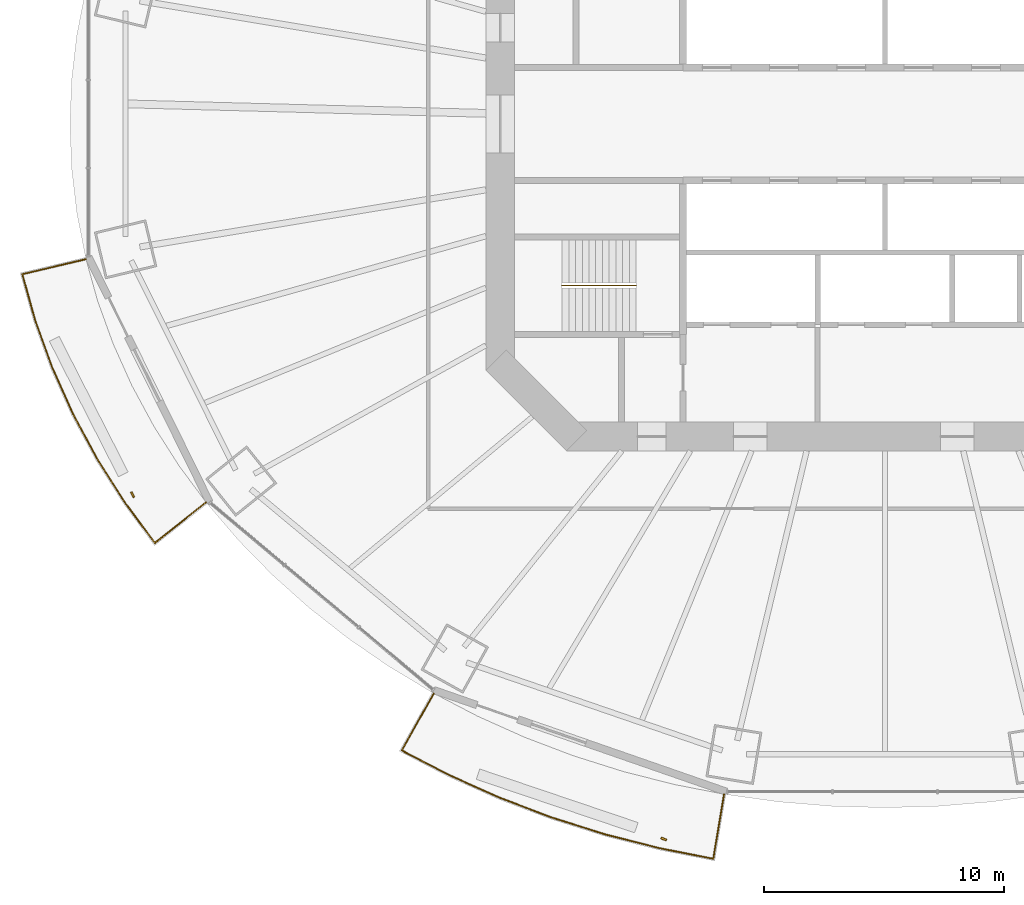
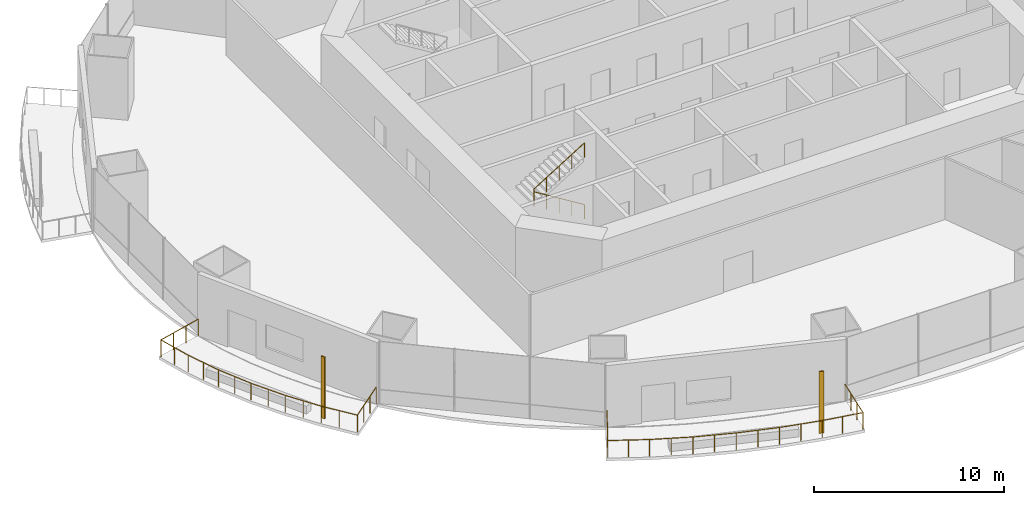
# One storey, part 17 of 21: 3 railings, 2 shading devices.
"""IFC4 building model written with IfcOpenShell, lengths in metres."""

from ifc_helpers import new_model, si_unit, direction, frame, origin, origin_2d, place, context, subcontext, project, spatial, rectangle, circle, extrude, material, material_profile, profile_set, type_object, element, save


model = new_model("IFC4")

# Units and contexts
model_context = context("Model", 3, precision=1e-05, world=origin(), true_north=direction((0.0, 1.0)))
body_context = subcontext(model_context, "Body", "Model", "MODEL_VIEW")
ifc_project = project(units=[si_unit("LENGTHUNIT", "METRE"), si_unit("AREAUNIT", "SQUARE_METRE"), si_unit("VOLUMEUNIT", "CUBIC_METRE"), si_unit("PLANEANGLEUNIT", "RADIAN"), si_unit("MASSUNIT", "GRAM", prefix="KILO")], contexts=[model_context])

# Site, building, storey
site_placement = place(None, origin())
site = spatial("IfcSite", under=ifc_project, at=site_placement, CompositionType="ELEMENT")
building_placement = place(site_placement, origin())
building = spatial("IfcBuilding", under=site, at=building_placement, Name="Marenthal Gate Tower", CompositionType="ELEMENT")
storey_placement = place(building_placement, frame((0.0, 0.0, 120.14990234375)))
storey = spatial("IfcBuildingStorey", under=building, at=storey_placement, Name="L25", CompositionType="ELEMENT", Elevation=120.14990234375)

# Railings
ifc_material_1 = material(Name="Stainless steel", Category="steel")
railing_type_1 = type_object("IfcRailingType", Name="Balcony guard 1100", PredefinedType="GUARDRAIL", material=ifc_material_1)
railing_1_placement = place(storey_placement, frame((-28.239990234375, -15.739013671875, 0.0)))
element("IfcRailing", 1, at=railing_1_placement, inside=storey, type_object=railing_type_1, Name="Balcony guard L25 bay 9", PredefinedType="GUARDRAIL", context=body_context, shape_type="SweptSolid", body=[
    extrude(circle(Radius=0.02392578125, at=origin_2d()), frame((0.0, 0.0, 1.076171875), z_axis=(-0.782385105715, -0.622623090323, -0.014629892421), x_axis=(0.622689732199, -0.782468847568, 0.0)), (0.0, 0.0, 1.0), 2.72021484375),
    extrude(circle(Radius=0.02392578125, at=origin_2d()), frame((-2.128173828125, -1.693603515625, 1.0361328125), z_axis=(-0.594457150675, 0.804127288438, 0.0), x_axis=(-0.804127288438, -0.594457150675, 0.0)), (0.0, 0.0, 1.0), 2.077392578125),
    extrude(circle(Radius=0.02392578125, at=origin_2d()), frame((-3.363037109375, -0.023193359375, 1.0361328125), z_axis=(-0.537259241166, 0.843417161185, 0.0), x_axis=(-0.843417161185, -0.537259241166, 0.0)), (0.0, 0.0, 1.0), 2.140380859375),
    extrude(circle(Radius=0.02392578125, at=origin_2d()), frame((-4.512939453125, 1.781982421875, 1.0361328125), z_axis=(-0.475168488039, 0.879894827792, 0.0), x_axis=(-0.879894827792, -0.475168488039, 0.0)), (0.0, 0.0, 1.0), 2.12451171875),
    extrude(circle(Radius=0.02392578125, at=origin_2d()), frame((-5.5224609375, 3.6513671875, 1.0361328125), z_axis=(-0.409344821555, 0.912379754853, 0.0), x_axis=(-0.912379754853, -0.409344821555, 0.0)), (0.0, 0.0, 1.0), 2.11083984375),
    extrude(circle(Radius=0.02392578125, at=origin_2d()), frame((-6.386474609375, 5.5771484375, 1.0361328125), z_axis=(-0.340033207947, 0.940413429026, 0.0), x_axis=(-0.940413429026, -0.340033207947, 0.0)), (0.0, 0.0, 1.0), 2.0986328125),
    extrude(circle(Radius=0.02392578125, at=origin_2d()), frame((-7.10009765625, 7.55078125, 1.0361328125), z_axis=(-0.269210641776, 0.963081320738, 0.0), x_axis=(-0.963081320738, -0.269210641776, 0.0)), (0.0, 0.0, 1.0), 2.0087890625),
    extrude(circle(Radius=0.02392578125, at=origin_2d()), frame((-7.640869140625, 9.4853515625, 1.0361328125), z_axis=(0.972968211955, 0.230475266885, 0.01462907652), x_axis=(-0.230499932836, 0.973072341074, 0.0)), (0.0, 0.0, 1.0), 2.72021484375),
    extrude(circle(Radius=0.02099609375, at=origin_2d()), origin(), (0.0, 0.0, 1.0), 1.052001953125),
    extrude(circle(Radius=0.02099609375, at=origin_2d()), frame((-0.70947265625, -0.564453125, -0.01318359375)), (0.0, 0.0, 1.0), 1.052001953125),
    extrude(circle(Radius=0.02099609375, at=origin_2d()), frame((-1.418701171875, -1.129150390625, -0.026611328125)), (0.0, 0.0, 1.0), 1.052001953125),
    extrude(circle(Radius=0.02099609375, at=origin_2d()), frame((-2.128173828125, -1.693603515625, -0.039794921875)), (0.0, 0.0, 1.0), 1.052001953125),
    extrude(circle(Radius=0.02099609375, at=origin_2d()), frame((-2.74560546875, -0.8583984375, -0.039794921875)), (0.0, 0.0, 1.0), 1.052001953125),
    extrude(circle(Radius=0.02099609375, at=origin_2d()), frame((-3.363037109375, -0.023193359375, -0.039794921875)), (0.0, 0.0, 1.0), 1.052001953125),
    extrude(circle(Radius=0.02099609375, at=origin_2d()), frame((-3.93798828125, 0.87939453125, -0.039794921875)), (0.0, 0.0, 1.0), 1.052001953125),
    extrude(circle(Radius=0.02099609375, at=origin_2d()), frame((-4.512939453125, 1.781982421875, -0.039794921875)), (0.0, 0.0, 1.0), 1.052001953125),
    extrude(circle(Radius=0.02099609375, at=origin_2d()), frame((-5.017578125, 2.716796875, -0.039794921875)), (0.0, 0.0, 1.0), 1.052001953125),
    extrude(circle(Radius=0.02099609375, at=origin_2d()), frame((-5.5224609375, 3.6513671875, -0.039794921875)), (0.0, 0.0, 1.0), 1.052001953125),
    extrude(circle(Radius=0.02099609375, at=origin_2d()), frame((-5.95458984375, 4.6142578125, -0.039794921875)), (0.0, 0.0, 1.0), 1.052001953125),
    extrude(circle(Radius=0.02099609375, at=origin_2d()), frame((-6.386474609375, 5.5771484375, -0.039794921875)), (0.0, 0.0, 1.0), 1.052001953125),
    extrude(circle(Radius=0.02099609375, at=origin_2d()), frame((-6.7431640625, 6.56396484375, -0.039794921875)), (0.0, 0.0, 1.0), 1.052001953125),
    extrude(circle(Radius=0.02099609375, at=origin_2d()), frame((-7.10009765625, 7.55078125, -0.039794921875)), (0.0, 0.0, 1.0), 1.052001953125),
    extrude(circle(Radius=0.02099609375, at=origin_2d()), frame((-7.37060546875, 8.51806640625, -0.039794921875)), (0.0, 0.0, 1.0), 1.052001953125),
    extrude(circle(Radius=0.02099609375, at=origin_2d()), frame((-7.640869140625, 9.4853515625, -0.039794921875)), (0.0, 0.0, 1.0), 1.052001953125),
    extrude(circle(Radius=0.02099609375, at=origin_2d()), frame((-6.758544921875, 9.6943359375, -0.026611328125)), (0.0, 0.0, 1.0), 1.052001953125),
    extrude(circle(Radius=0.02099609375, at=origin_2d()), frame((-5.87646484375, 9.9033203125, -0.01318359375)), (0.0, 0.0, 1.0), 1.052001953125),
    extrude(circle(Radius=0.02099609375, at=origin_2d()), frame((-4.994140625, 10.1123046875, 0.0)), (0.0, 0.0, 1.0), 1.052001953125),
])
railing_2_placement = place(storey_placement, frame((-6.693115234375, -27.88232421875, 0.0)))
element("IfcRailing", 2, at=railing_2_placement, inside=storey, type_object=railing_type_1, Name="Balcony guard L25 bay 11", PredefinedType="GUARDRAIL", context=body_context, shape_type="SweptSolid", body=[
    extrude(circle(Radius=0.02392578125, at=origin_2d()), frame((0.0, 0.0, 1.076171875), z_axis=(-0.164774326367, -0.986222806342, -0.014628657515), x_axis=(0.986328347949, -0.164791959854, 0.0)), (0.0, 0.0, 1.0), 2.720458984375),
    extrude(circle(Radius=0.02392578125, at=origin_2d()), frame((-0.4482421875, -2.682861328125, 1.0361328125), z_axis=(-0.981203457672, 0.192976098658, 0.0), x_axis=(-0.192976098658, -0.981203457672, 0.0)), (0.0, 0.0, 1.0), 2.2734375),
    extrude(circle(Radius=0.02392578125, at=origin_2d()), frame((-2.678955078125, -2.244140625, 1.0361328125), z_axis=(-0.969104417167, 0.246650823286, 0.0), x_axis=(-0.246650823286, -0.969104417167, 0.0)), (0.0, 0.0, 1.0), 2.343994140625),
    extrude(circle(Radius=0.02392578125, at=origin_2d()), frame((-4.950439453125, -1.666015625, 1.0361328125), z_axis=(-0.953617459754, 0.301021162798, 0.0), x_axis=(-0.301021162798, -0.953617459754, 0.0)), (0.0, 0.0, 1.0), 2.33251953125),
    extrude(circle(Radius=0.02392578125, at=origin_2d()), frame((-7.1748046875, -0.9638671875, 1.0361328125), z_axis=(-0.934727645052, 0.355364924515, 0.0), x_axis=(-0.355364924515, -0.934727645052, 0.0)), (0.0, 0.0, 1.0), 2.3193359375),
    extrude(circle(Radius=0.02392578125, at=origin_2d()), frame((-9.3427734375, -0.1396484375, 1.0361328125), z_axis=(-0.912452038961, 0.409183670979, 0.0), x_axis=(-0.409183670979, -0.912452038961, 0.0)), (0.0, 0.0, 1.0), 2.30419921875),
    extrude(circle(Radius=0.02392578125, at=origin_2d()), frame((-11.4453125, 0.80322265625, 1.0361328125), z_axis=(-0.887124453904, 0.461530284257, 0.0), x_axis=(-0.461530284257, -0.887124453904, 0.0)), (0.0, 0.0, 1.0), 2.2080078125),
    extrude(circle(Radius=0.02392578125, at=origin_2d()), frame((-13.404052734375, 1.822265625, 1.0361328125), z_axis=(0.489198624096, 0.872049721215, 0.014628394006), x_axis=(-0.872143041114, 0.489250974283, 0.0)), (0.0, 0.0, 1.0), 2.720458984375),
    extrude(circle(Radius=0.02099609375, at=origin_2d()), origin(), (0.0, 0.0, 1.0), 1.052001953125),
    extrude(circle(Radius=0.02099609375, at=origin_2d()), frame((-0.1494140625, -0.894287109375, -0.01318359375)), (0.0, 0.0, 1.0), 1.052001953125),
    extrude(circle(Radius=0.02099609375, at=origin_2d()), frame((-0.298828125, -1.78857421875, -0.026611328125)), (0.0, 0.0, 1.0), 1.052001953125),
    extrude(circle(Radius=0.02099609375, at=origin_2d()), frame((-0.4482421875, -2.682861328125, -0.039794921875)), (0.0, 0.0, 1.0), 1.052001953125),
    extrude(circle(Radius=0.02099609375, at=origin_2d()), frame((-1.5634765625, -2.46337890625, -0.039794921875)), (0.0, 0.0, 1.0), 1.052001953125),
    extrude(circle(Radius=0.02099609375, at=origin_2d()), frame((-2.678955078125, -2.244140625, -0.039794921875)), (0.0, 0.0, 1.0), 1.052001953125),
    extrude(circle(Radius=0.02099609375, at=origin_2d()), frame((-3.814697265625, -1.955078125, -0.039794921875)), (0.0, 0.0, 1.0), 1.052001953125),
    extrude(circle(Radius=0.02099609375, at=origin_2d()), frame((-4.950439453125, -1.666015625, -0.039794921875)), (0.0, 0.0, 1.0), 1.052001953125),
    extrude(circle(Radius=0.02099609375, at=origin_2d()), frame((-6.0625, -1.31494140625, -0.039794921875)), (0.0, 0.0, 1.0), 1.052001953125),
    extrude(circle(Radius=0.02099609375, at=origin_2d()), frame((-7.1748046875, -0.9638671875, -0.039794921875)), (0.0, 0.0, 1.0), 1.052001953125),
    extrude(circle(Radius=0.02099609375, at=origin_2d()), frame((-8.2587890625, -0.5517578125, -0.039794921875)), (0.0, 0.0, 1.0), 1.052001953125),
    extrude(circle(Radius=0.02099609375, at=origin_2d()), frame((-9.3427734375, -0.1396484375, -0.039794921875)), (0.0, 0.0, 1.0), 1.052001953125),
    extrude(circle(Radius=0.02099609375, at=origin_2d()), frame((-10.39404296875, 0.331787109375, -0.039794921875)), (0.0, 0.0, 1.0), 1.052001953125),
    extrude(circle(Radius=0.02099609375, at=origin_2d()), frame((-11.4453125, 0.80322265625, -0.039794921875)), (0.0, 0.0, 1.0), 1.052001953125),
    extrude(circle(Radius=0.02099609375, at=origin_2d()), frame((-12.4248046875, 1.312744140625, -0.039794921875)), (0.0, 0.0, 1.0), 1.052001953125),
    extrude(circle(Radius=0.02099609375, at=origin_2d()), frame((-13.404052734375, 1.822265625, -0.039794921875)), (0.0, 0.0, 1.0), 1.052001953125),
    extrude(circle(Radius=0.02099609375, at=origin_2d()), frame((-12.96044921875, 2.613037109375, -0.026611328125)), (0.0, 0.0, 1.0), 1.052001953125),
    extrude(circle(Radius=0.02099609375, at=origin_2d()), frame((-12.516845703125, 3.40380859375, -0.01318359375)), (0.0, 0.0, 1.0), 1.052001953125),
    extrude(circle(Radius=0.02099609375, at=origin_2d()), frame((-12.0732421875, 4.194580078125, 0.0)), (0.0, 0.0, 1.0), 1.052001953125),
])
ifc_material_2 = material(Name="Stainless steel", Category="steel")
railing_type_2 = type_object("IfcRailingType", Name="Stair handrail", PredefinedType="HANDRAIL", material=ifc_material_2)
railing_3_placement = place(storey_placement, frame((-10.35009765625, -6.72509765625, 0.173095703125)))
element("IfcRailing", 3, at=railing_3_placement, inside=storey, type_object=railing_type_2, Name="Handrail ST2", PredefinedType="HANDRAIL", context=body_context, shape_type="SweptSolid", body=[
    extrude(circle(Radius=0.0224609375, at=origin_2d()), frame((0.0, 0.0, 0.927490234375), z_axis=(-0.850816621229, 0.0, 0.525462726595), x_axis=(0.0, -1.0, 0.0)), (0.0, 0.0, 1.0), 3.619873046875),
    extrude(circle(Radius=0.0224609375, at=origin_2d()), frame((-3.079833984375, 0.0, 2.82958984375), z_axis=(0.0, 0.0, 1.0), x_axis=(1.0, 0.0, 0.0)), (0.0, 0.0, 1.0), 0.1728515625),
    extrude(circle(Radius=0.0224609375, at=origin_2d()), frame((-3.079833984375, 0.0, 3.00244140625), z_axis=(0.850816621229, 0.0, 0.525462726595), x_axis=(0.0, 1.0, 0.0)), (0.0, 0.0, 1.0), 3.619873046875),
    extrude(circle(Radius=0.02001953125, at=origin_2d()), origin(), (0.0, 0.0, 1.0), 0.905029296875),
    extrude(circle(Radius=0.02001953125, at=origin_2d()), frame((-0.77001953125, 0.0, 0.4755859375)), (0.0, 0.0, 1.0), 0.905029296875),
    extrude(circle(Radius=0.02001953125, at=origin_2d()), frame((-1.5400390625, 0.0, 0.951171875)), (0.0, 0.0, 1.0), 0.905029296875),
    extrude(circle(Radius=0.02001953125, at=origin_2d()), frame((-2.309814453125, 0.0, 1.426513671875)), (0.0, 0.0, 1.0), 0.905029296875),
    extrude(circle(Radius=0.02001953125, at=origin_2d()), frame((-3.079833984375, 0.0, 1.902099609375)), (0.0, 0.0, 1.0), 0.905029296875),
    extrude(circle(Radius=0.02001953125, at=origin_2d()), frame((-3.079833984375, 0.0, 2.074951171875)), (0.0, 0.0, 1.0), 0.905029296875),
    extrude(circle(Radius=0.02001953125, at=origin_2d()), frame((-2.309814453125, 0.0, 2.550537109375)), (0.0, 0.0, 1.0), 0.905029296875),
    extrude(circle(Radius=0.02001953125, at=origin_2d()), frame((-1.5400390625, 0.0, 3.02587890625)), (0.0, 0.0, 1.0), 0.905029296875),
    extrude(circle(Radius=0.02001953125, at=origin_2d()), frame((-0.77001953125, 0.0, 3.50146484375)), (0.0, 0.0, 1.0), 0.905029296875),
    extrude(circle(Radius=0.02001953125, at=origin_2d()), frame((0.0, 0.0, 3.97705078125)), (0.0, 0.0, 1.0), 0.905029296875),
])

# Shading devices
ifc_material_3 = material(Name="Terracotta", Category="masonry")
ifc_material_profile = material_profile(ifc_material_3, rectangle(XDim=0.25, YDim=0.080078125, at=origin_2d()), Name="Terracotta baguette 250x80")
ifc_profile_set = profile_set([ifc_material_profile], Name="Terracotta")
shading_device_type = type_object("IfcShadingDeviceType", Name="Terracotta BAGUETTE SCREEN 250x80", PredefinedType="USERDEFINED", material=ifc_profile_set)
for number, where, z_axis, x_axis, name in (
    (4, (-31.29296875, -15.42333984375, -0.039794921875), (0.0, 0.0, 1.0), (0.442657811607, -0.896690616558, 0.0), "Terracotta BAGUETTE L25 bay 9R"),
    (5, (-9.20361328125, -29.742919921875, -0.039794921875), (0.0, 0.0, 1.0), (0.944576320007, -0.328291906207, 0.0), "Terracotta BAGUETTE L25 bay 11R"),
):
    element("IfcShadingDevice", number, at=place(storey_placement, frame(where, z_axis=z_axis, x_axis=x_axis)), inside=storey, type_object=shading_device_type, Name=name, ObjectType="BAGUETTE SCREEN", PredefinedType="USERDEFINED", context=body_context, shape_type="SweptSolid", body=[
        extrude(rectangle(XDim=0.25, YDim=0.080078125, at=origin_2d()), origin(), (0.0, 0.0, 1.0), 3.969970703125),
    ])

save(model, "model.ifc")
